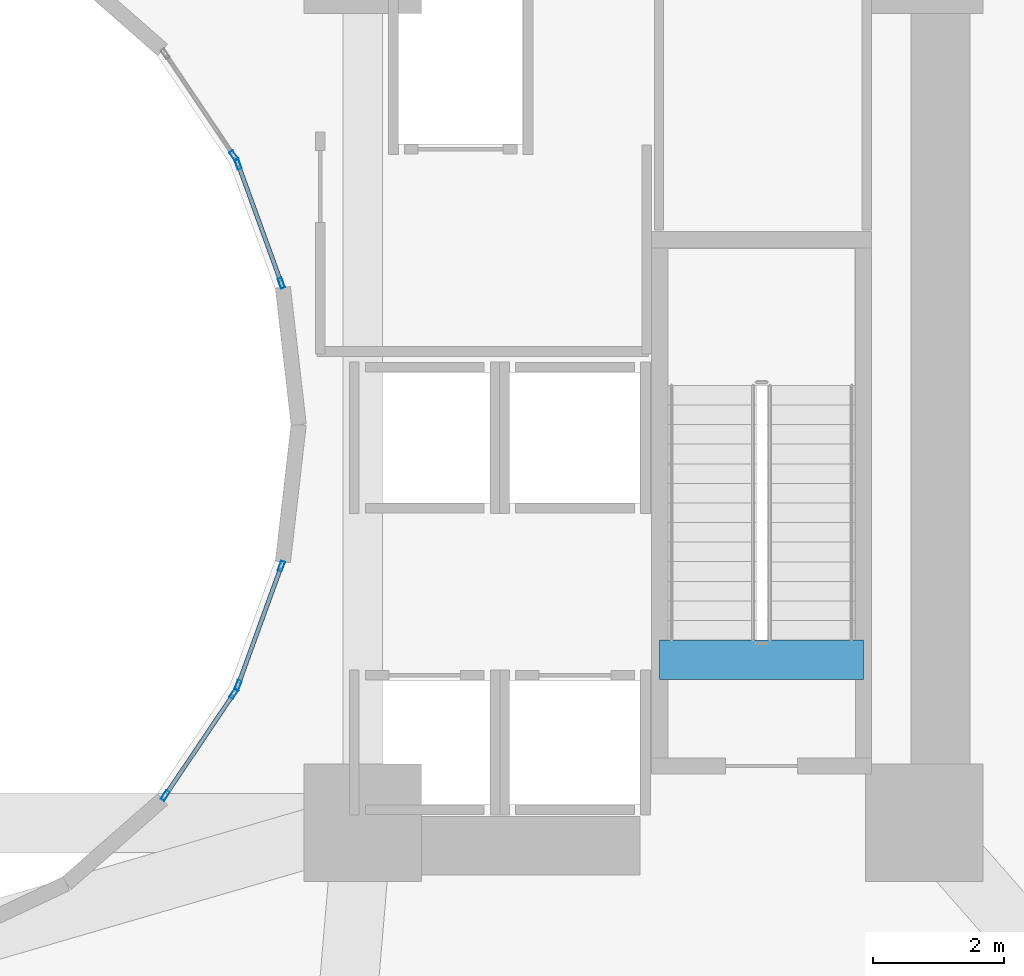
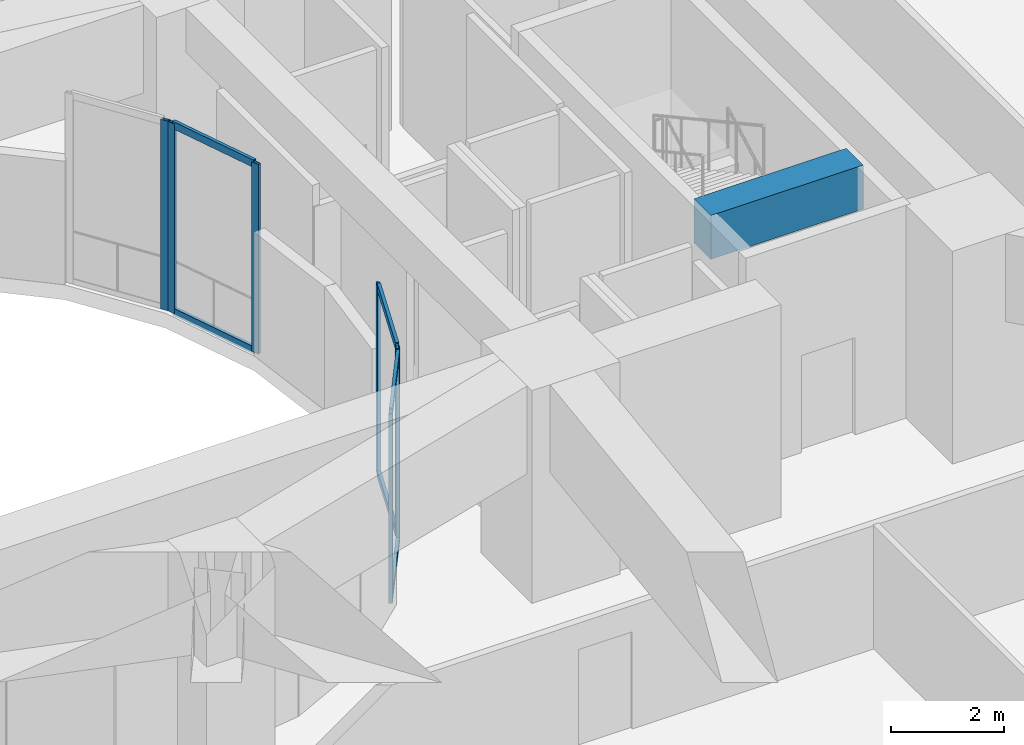
# One storey, part 10 of 27: 13 members, 1 beam, 4 elements without a shape of their own.
"""IFC4 building model written with IfcOpenShell, lengths in metres."""

from ifc_helpers import new_model, si_unit, direction, frame, origin, origin_2d, place, context, subcontext, project, spatial, rectangle, hollow_rectangle, extrude, material, layer, layer_set, material_profile, profile_set, type_object, element, aggregate, save


model = new_model("IFC4")

# Units and contexts
model_context = context("Model", 3, precision=1e-05, world=origin(), true_north=direction((0.0, 1.0)))
body_context = subcontext(model_context, "Body", "Model", "MODEL_VIEW")
ifc_project = project(units=[si_unit("LENGTHUNIT", "METRE"), si_unit("AREAUNIT", "SQUARE_METRE"), si_unit("VOLUMEUNIT", "CUBIC_METRE"), si_unit("PLANEANGLEUNIT", "RADIAN"), si_unit("MASSUNIT", "GRAM", prefix="KILO")], contexts=[model_context])

# Site, building, storey
site_placement = place(None, origin())
site = spatial("IfcSite", under=ifc_project, at=site_placement, CompositionType="ELEMENT")
building_placement = place(site_placement, origin())
building = spatial("IfcBuilding", under=site, at=building_placement, Name="Solvane Sanctuary Tower", CompositionType="ELEMENT")
storey_placement = place(building_placement, frame((0.0, 0.0, 23.0)))
storey = spatial("IfcBuildingStorey", under=building, at=storey_placement, Name="L06", CompositionType="ELEMENT", Elevation=23.0)

# Beam
ifc_material_1 = material(Name="Concrete C70/85", Category="concrete")
ifc_material_profile_1 = material_profile(ifc_material_1, rectangle(XDim=0.60009765625, YDim=0.949951171875, at=origin_2d()), Name="RC600X950")
ifc_profile_set_1 = profile_set([ifc_material_profile_1], Name="Concrete C70/85")
beam_type = type_object("IfcBeamType", Name="Beam B-COUPLE RC600X950", PredefinedType="LINTEL", material=ifc_profile_set_1)
beam_placement = place(storey_placement, frame((44.64990234375, 19.399169921875, 4.125), z_axis=(1.0, 0.0, 0.0), x_axis=(0.0, 1.0, 0.0)))
element("IfcBeam", 1, at=beam_placement, inside=storey, type_object=beam_type, Name="L06 ST-2 Stair Floor Landing Trimmer", PredefinedType="LINTEL", context=body_context, shape_type="SweptSolid", body=[
    extrude(rectangle(XDim=0.60009765625, YDim=0.949951171875, at=origin_2d()), origin(), (0.0, 0.0, 1.0), 3.1201171875),
])

# Curtain wall, members
ifc_material_2 = material(Name="Anodised Aluminium 6063-T6", Category="aluminium")
ifc_layer = layer(ifc_material_2, 0.199951171875, Name="Anodised Aluminium 6063-T6")
ifc_layer_set = layer_set([ifc_layer], Name="Anodised Aluminium 6063-T6")
curtain_wall_type = type_object("IfcCurtainWallType", Name="Curtain Wall CW-WELL", PredefinedType="NOTDEFINED", material=ifc_layer_set)
curtain_wall_1_placement = place(storey_placement, origin())
curtain_wall_1 = element("IfcCurtainWall", 2, at=curtain_wall_1_placement, inside=storey, type_object=curtain_wall_type, Name="L06 Light-Well Curtain Wall 01", PredefinedType="NOTDEFINED")
ifc_material_profile_2 = material_profile(ifc_material_2, hollow_rectangle(XDim=0.06494140625, YDim=0.159912109375, WallThickness=0.00341796875, at=origin_2d()), Name="ALU160X65X3.5")
ifc_profile_set_2 = profile_set([ifc_material_profile_2], Name="Anodised Aluminium 6063-T6")
member_type_1 = type_object("IfcMemberType", Name="Member M-CW-MUL-2 ALU160X65X3.5", PredefinedType="MULLION", material=ifc_profile_set_2)
member_1_placement = place(storey_placement, frame((38.8525390625, 25.169677734375, 0.0), z_axis=(0.0, 0.0, 1.0), x_axis=(-0.939937610132, -0.341346289067, 0.0)))
member_1 = element("IfcMember", 3, at=member_1_placement, type_object=member_type_1, Name="CW-WELL mullion 1", PredefinedType="MULLION", context=body_context, shape_type="SweptSolid", body=[
    extrude(hollow_rectangle(XDim=0.06494140625, YDim=0.159912109375, WallThickness=0.00341796875, at=origin_2d()), origin(), (0.0, 0.0, 1.0), 4.10009765625),
])
member_2_placement = place(storey_placement, frame((38.19091796875, 26.991943359375, 0.0), z_axis=(0.0, 0.0, 1.0), x_axis=(-0.939937610132, -0.341346289067, 0.0)))
member_2 = element("IfcMember", 4, at=member_2_placement, type_object=member_type_1, Name="CW-WELL mullion 2", PredefinedType="MULLION", context=body_context, shape_type="SweptSolid", body=[
    extrude(hollow_rectangle(XDim=0.06494140625, YDim=0.159912109375, WallThickness=0.00341796875, at=origin_2d()), origin(), (0.0, 0.0, 1.0), 4.10009765625),
])

# Curtain wall, member
curtain_wall_2_placement = place(storey_placement, origin())
curtain_wall_2 = element("IfcCurtainWall", 5, at=curtain_wall_2_placement, inside=storey, type_object=curtain_wall_type, Name="L06 Light-Well Curtain Wall 02", PredefinedType="NOTDEFINED")
member_3_placement = place(storey_placement, frame((38.125732421875, 27.1201171875, 0.0), z_axis=(0.0, 0.0, 1.0), x_axis=(-0.829664150104, -0.558262839559, 0.0)))
member_3 = element("IfcMember", 6, at=member_3_placement, type_object=member_type_1, Name="CW-WELL mullion 1", PredefinedType="MULLION", context=body_context, shape_type="SweptSolid", body=[
    extrude(hollow_rectangle(XDim=0.06494140625, YDim=0.159912109375, WallThickness=0.00341796875, at=origin_2d()), origin(), (0.0, 0.0, 1.0), 4.10009765625),
])
aggregate(curtain_wall_2, [member_3])

# Curtain wall, members
curtain_wall_3_placement = place(storey_placement, origin())
curtain_wall_3 = element("IfcCurtainWall", 7, at=curtain_wall_3_placement, inside=storey, type_object=curtain_wall_type, Name="L06 Light-Well Curtain Wall 21", PredefinedType="NOTDEFINED")
member_4_placement = place(storey_placement, frame((37.074951171875, 17.318359375, 0.0), z_axis=(0.0, 0.0, 1.0), x_axis=(-0.829664150104, 0.558262839559, 0.0)))
member_4 = element("IfcMember", 8, at=member_4_placement, type_object=member_type_1, Name="CW-WELL mullion 1", PredefinedType="MULLION", context=body_context, shape_type="SweptSolid", body=[
    extrude(hollow_rectangle(XDim=0.06494140625, YDim=0.159912109375, WallThickness=0.00341796875, at=origin_2d()), origin(), (0.0, 0.0, 1.0), 4.10009765625),
])
member_5_placement = place(storey_placement, frame((38.125732421875, 18.8798828125, 0.0), z_axis=(0.0, 0.0, 1.0), x_axis=(-0.829664150104, 0.558262839559, 0.0)))
member_5 = element("IfcMember", 9, at=member_5_placement, type_object=member_type_1, Name="CW-WELL mullion 2", PredefinedType="MULLION", context=body_context, shape_type="SweptSolid", body=[
    extrude(hollow_rectangle(XDim=0.06494140625, YDim=0.159912109375, WallThickness=0.00341796875, at=origin_2d()), origin(), (0.0, 0.0, 1.0), 4.10009765625),
])

curtain_wall_4_placement = place(storey_placement, origin())
curtain_wall_4 = element("IfcCurtainWall", 10, at=curtain_wall_4_placement, inside=storey, type_object=curtain_wall_type, Name="L06 Light-Well Curtain Wall 22", PredefinedType="NOTDEFINED")
member_6_placement = place(storey_placement, frame((38.19091796875, 19.008056640625, 0.0), z_axis=(0.0, 0.0, 1.0), x_axis=(-0.939937610132, 0.341346289067, 0.0)))
member_6 = element("IfcMember", 11, at=member_6_placement, type_object=member_type_1, Name="CW-WELL mullion 1", PredefinedType="MULLION", context=body_context, shape_type="SweptSolid", body=[
    extrude(hollow_rectangle(XDim=0.06494140625, YDim=0.159912109375, WallThickness=0.00341796875, at=origin_2d()), origin(), (0.0, 0.0, 1.0), 4.10009765625),
])
member_7_placement = place(storey_placement, frame((38.8525390625, 20.830322265625, 0.0), z_axis=(0.0, 0.0, 1.0), x_axis=(-0.939937610132, 0.341346289067, 0.0)))
member_7 = element("IfcMember", 12, at=member_7_placement, type_object=member_type_1, Name="CW-WELL mullion 2", PredefinedType="MULLION", context=body_context, shape_type="SweptSolid", body=[
    extrude(hollow_rectangle(XDim=0.06494140625, YDim=0.159912109375, WallThickness=0.00341796875, at=origin_2d()), origin(), (0.0, 0.0, 1.0), 4.10009765625),
])

# Member
ifc_material_profile_3 = material_profile(ifc_material_2, hollow_rectangle(XDim=0.06494140625, YDim=0.159912109375, WallThickness=0.00341796875, at=origin_2d()), Name="ALU160X65X3.5")
ifc_profile_set_3 = profile_set([ifc_material_profile_3], Name="Anodised Aluminium 6063-T6")
member_type_2 = type_object("IfcMemberType", Name="Member M-CW-TRN-1 ALU160X65X3.5", PredefinedType="USERDEFINED", material=ifc_profile_set_3)
member_8_placement = place(storey_placement, frame((38.841552734375, 25.2001953125, 0.032470703125), z_axis=(-0.341366423667, 0.939930297837, 0.0), x_axis=(-0.939930297837, -0.341366423667, 0.0)))
member_8 = element("IfcMember", 13, at=member_8_placement, type_object=member_type_2, Name="CW-WELL transom 1.1", ObjectType="TRANSOM", PredefinedType="USERDEFINED", context=body_context, shape_type="SweptSolid", body=[
    extrude(hollow_rectangle(XDim=0.06494140625, YDim=0.159912109375, WallThickness=0.00341796875, at=origin_2d()), origin(), (0.0, 0.0, 1.0), 1.873779296875),
])

member_9_placement = place(storey_placement, frame((38.841552734375, 25.2001953125, 4.0673828125), z_axis=(-0.341366423667, 0.939930297837, 0.0), x_axis=(-0.939930297837, -0.341366423667, 0.0)))
member_9 = element("IfcMember", 14, at=member_9_placement, type_object=member_type_2, Name="CW-WELL transom 1.2", ObjectType="TRANSOM", PredefinedType="USERDEFINED", context=body_context, shape_type="SweptSolid", body=[
    extrude(hollow_rectangle(XDim=0.06494140625, YDim=0.159912109375, WallThickness=0.00341796875, at=origin_2d()), origin(), (0.0, 0.0, 1.0), 1.873779296875),
])

aggregate(curtain_wall_1, [member_1, member_2, member_8, member_9])

member_10_placement = place(storey_placement, frame((37.09326171875, 17.345458984375, 0.032470703125), z_axis=(0.558230518083, 0.829685897603, 0.0), x_axis=(-0.829685897603, 0.558230518083, 0.0)))
member_10 = element("IfcMember", 15, at=member_10_placement, type_object=member_type_2, Name="CW-WELL transom 1.1", ObjectType="TRANSOM", PredefinedType="USERDEFINED", context=body_context, shape_type="SweptSolid", body=[
    extrude(hollow_rectangle(XDim=0.06494140625, YDim=0.159912109375, WallThickness=0.00341796875, at=origin_2d()), origin(), (0.0, 0.0, 1.0), 1.816650390625),
])

member_11_placement = place(storey_placement, frame((37.09326171875, 17.345458984375, 4.0673828125), z_axis=(0.558230518083, 0.829685897603, 0.0), x_axis=(-0.829685897603, 0.558230518083, 0.0)))
member_11 = element("IfcMember", 16, at=member_11_placement, type_object=member_type_2, Name="CW-WELL transom 1.2", ObjectType="TRANSOM", PredefinedType="USERDEFINED", context=body_context, shape_type="SweptSolid", body=[
    extrude(hollow_rectangle(XDim=0.06494140625, YDim=0.159912109375, WallThickness=0.00341796875, at=origin_2d()), origin(), (0.0, 0.0, 1.0), 1.816650390625),
])

aggregate(curtain_wall_3, [member_4, member_5, member_10, member_11])

member_12_placement = place(storey_placement, frame((38.201904296875, 19.03857421875, 0.032470703125), z_axis=(0.341366423667, 0.939930297837, 0.0), x_axis=(-0.939930297837, 0.341366423667, 0.0)))
member_12 = element("IfcMember", 17, at=member_12_placement, type_object=member_type_2, Name="CW-WELL transom 1.1", ObjectType="TRANSOM", PredefinedType="USERDEFINED", context=body_context, shape_type="SweptSolid", body=[
    extrude(hollow_rectangle(XDim=0.06494140625, YDim=0.159912109375, WallThickness=0.00341796875, at=origin_2d()), origin(), (0.0, 0.0, 1.0), 1.873779296875),
])

member_13_placement = place(storey_placement, frame((38.201904296875, 19.03857421875, 4.0673828125), z_axis=(0.341366423667, 0.939930297837, 0.0), x_axis=(-0.939930297837, 0.341366423667, 0.0)))
member_13 = element("IfcMember", 18, at=member_13_placement, type_object=member_type_2, Name="CW-WELL transom 1.2", ObjectType="TRANSOM", PredefinedType="USERDEFINED", context=body_context, shape_type="SweptSolid", body=[
    extrude(hollow_rectangle(XDim=0.06494140625, YDim=0.159912109375, WallThickness=0.00341796875, at=origin_2d()), origin(), (0.0, 0.0, 1.0), 1.873779296875),
])

aggregate(curtain_wall_4, [member_6, member_7, member_12, member_13])

save(model, "model.ifc")
